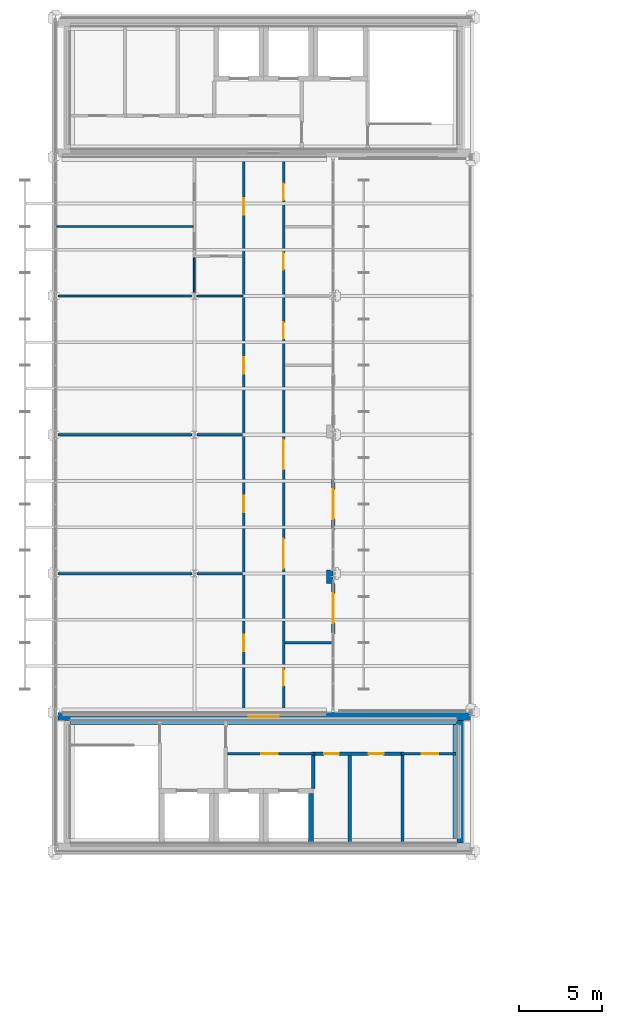
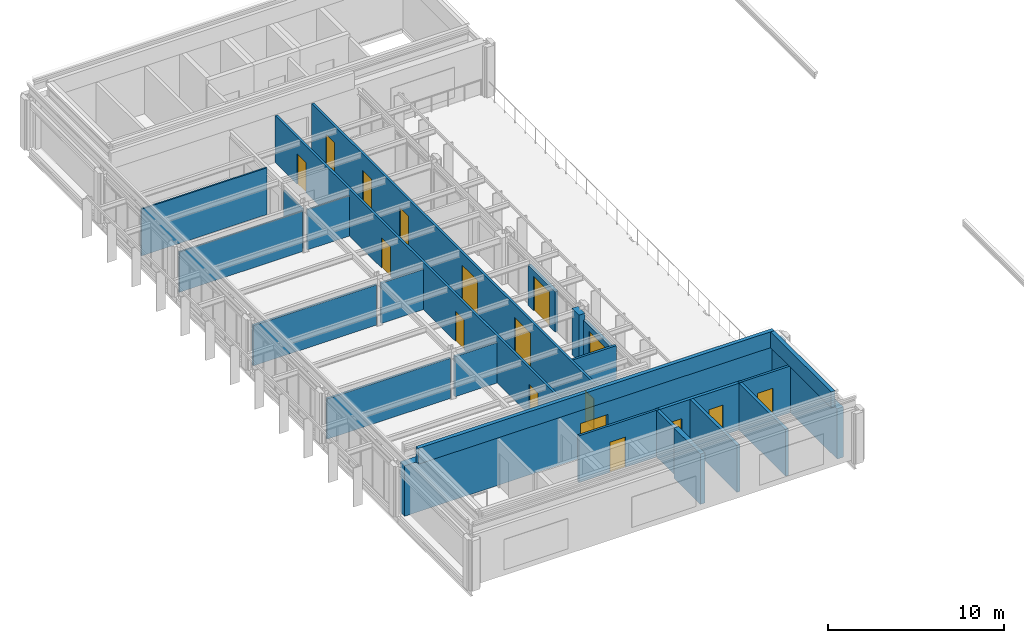
# One storey, part 27 of 31: 25 walls, 17 doors, 17 openings.
"""IFC4 building model written with IfcOpenShell, lengths in metres."""

from ifc_helpers import new_model, si_unit, direction, frame, frame_2d, origin, place, context, subcontext, project, spatial, rectangle, extrude, material, layer, layer_set, type_object, element, fill, save


model = new_model("IFC4")

# Units and contexts
model_context = context("Model", 3, precision=1e-05, world=origin(), true_north=direction((0.0, 1.0)))
body_context = subcontext(model_context, "Body", "Model", "MODEL_VIEW")
ifc_project = project(units=[si_unit("LENGTHUNIT", "METRE"), si_unit("AREAUNIT", "SQUARE_METRE"), si_unit("VOLUMEUNIT", "CUBIC_METRE"), si_unit("PLANEANGLEUNIT", "RADIAN"), si_unit("MASSUNIT", "GRAM", prefix="KILO")], contexts=[model_context])

# Site, building, storey
site_placement = place(None, origin())
site = spatial("IfcSite", under=ifc_project, at=site_placement, CompositionType="ELEMENT")
building_placement = place(site_placement, origin())
building = spatial("IfcBuilding", under=site, at=building_placement, Name="Catenary Quay Ferry Terminal", CompositionType="ELEMENT")
storey_placement = place(building_placement, frame((0.0, 0.0, 20.60009765625)))
storey = spatial("IfcBuildingStorey", under=building, at=storey_placement, Name="L04", CompositionType="ELEMENT", Elevation=20.60009765625)

# Wall
ifc_material_1 = material(Name="Concrete C50/60", Category="concrete")
ifc_layer_1 = layer(ifc_material_1, 0.39990234375)
ifc_layer_set_1 = layer_set([ifc_layer_1], Name="Core wall 400")
wall_type_1 = type_object("IfcWallType", Name="Core wall 400", PredefinedType="SHEAR", material=ifc_layer_set_1)
wall_1_placement = place(storey_placement, frame((49.699951171875, 160.10009765625, 0.0), z_axis=(0.0, 0.0, 1.0), x_axis=(0.0, 1.0, 0.0)))
element("IfcWall", 1, at=wall_1_placement, inside=storey, type_object=wall_type_1, Name="Core wall S4", PredefinedType="SHEAR", context=body_context, shape_type="SweptSolid", body=[
    extrude(rectangle(XDim=7.39990234375, YDim=0.39990234375, at=frame_2d((3.699951171875, 0.0))), origin(), (0.0, 0.0, 1.0), 3.5),
])

# Wall, opening, door
ifc_material_2 = material(Name="Concrete C50/60", Category="concrete")
ifc_layer_2 = layer(ifc_material_2, 0.5)
ifc_layer_set_2 = layer_set([ifc_layer_2], Name="Core wall 500")
wall_type_2 = type_object("IfcWallType", Name="Core wall 500", PredefinedType="SHEAR", material=ifc_layer_set_2)
wall_2_placement = place(storey_placement, frame((25.35009765625, 167.75, 0.0), z_axis=(0.0, 0.0, 1.0), x_axis=(1.0, 0.0, 0.0)))
wall_2 = element("IfcWall", 2, at=wall_2_placement, inside=storey, type_object=wall_type_2, Name="Core wall S2", PredefinedType="SHEAR", context=body_context, shape_type="SweptSolid", body=[
    extrude(rectangle(XDim=25.04296875, YDim=0.5, at=frame_2d((12.521484375, 0.0))), origin(), (0.0, 0.0, 1.0), 3.5),
])
opening_1_placement = place(wall_2_placement, frame((11.550048828125, 0.0, 0.0)))
opening_1 = element("IfcOpeningElement", 3, at=opening_1_placement, cuts=wall_2, Name="Opening D229", PredefinedType="OPENING", context=body_context, shape_type="SweptSolid", body=[
    extrude(rectangle(XDim=1.800048828125, YDim=2.39990234375, at=frame_2d((0.89990234375, 1.199951171875))), frame((0.0, 0.260009765625, 0.0), z_axis=(0.0, -1.0, 0.0), x_axis=(1.0, 0.0, 0.0)), (0.0, 0.0, 1.0), 0.52001953125),
])
ifc_material_3 = material(Name="Steel and glass", Category="steel")
door_type_1 = type_object("IfcDoorType", Name="DI3", OperationType="DOUBLE_DOOR_SINGLE_SWING", PredefinedType="DOOR", material=ifc_material_3)
door_1_placement = place(opening_1_placement, frame((1.800048828125, 0.0, 0.0), z_axis=(0.0, 0.0, 1.0), x_axis=(-1.0, 0.0, 0.0)))
door_1 = element("IfcDoor", 4, at=door_1_placement, inside=storey, type_object=door_type_1, Name="Operations Corridor to Core Corridor S", OperationType="DOUBLE_DOOR_SINGLE_SWING", OverallHeight=2.39990234375, OverallWidth=1.800048828125, PredefinedType="DOOR", context=body_context, shape_type="SweptSolid", body=[
    extrude(rectangle(XDim=1.800048828125, YDim=2.39990234375, at=frame_2d((0.89990234375, 1.199951171875))), frame((0.0, 0.02490234375, 0.0), z_axis=(0.0, -1.0, 0.0), x_axis=(1.0, 0.0, 0.0)), (0.0, 0.0, 1.0), 0.050048828125),
])
fill(opening_1, door_1)

# Walls
ifc_material_4 = material(Name="Masonry and insulation", Category="masonry")
ifc_layer_3 = layer(ifc_material_4, 0.39990234375)
ifc_layer_set_3 = layer_set([ifc_layer_3], Name="EW2")
wall_type_3 = type_object("IfcWallType", Name="EW2", PredefinedType="SOLIDWALL", material=ifc_layer_set_3)
wall_3_placement = place(storey_placement, frame((41.800048828125, 175.800048828125, 0.0), z_axis=(0.0, 0.0, 1.0), x_axis=(0.0, 1.0, 0.0)))
element("IfcWall", 5, at=wall_3_placement, inside=storey, type_object=wall_type_3, Name="P47 wall WL202", PredefinedType="SOLIDWALL", context=body_context, shape_type="SweptSolid", body=[
    extrude(rectangle(XDim=0.800048828125, YDim=0.39990234375, at=frame_2d((0.39990234375, 0.0))), origin(), (0.0, 0.0, 1.0), 3.25),
])
ifc_material_5 = material(Name="Masonry and insulation", Category="masonry")
ifc_layer_4 = layer(ifc_material_5, 0.25)
ifc_layer_set_4 = layer_set([ifc_layer_4], Name="EW5")
wall_type_4 = type_object("IfcWallType", Name="EW5", PredefinedType="PARAPET", material=ifc_layer_set_4)
wall_4_placement = place(storey_placement, frame((26.10009765625, 167.375, 3.5), z_axis=(0.0, 0.0, 1.0), x_axis=(1.0, 0.0, 0.0)))
element("IfcWall", 6, at=wall_4_placement, inside=storey, type_object=wall_type_4, Name="Parapet wall WL224", PredefinedType="PARAPET", context=body_context, shape_type="SweptSolid", body=[
    extrude(rectangle(XDim=23.39990234375, YDim=0.25, at=frame_2d((11.699951171875, 0.0))), origin(), (0.0, 0.0, 1.0), 1.099853515625),
])
wall_5_placement = place(storey_placement, frame((49.375, 160.35009765625, 3.5), z_axis=(0.0, 0.0, 1.0), x_axis=(0.0, 1.0, 0.0)))
element("IfcWall", 7, at=wall_5_placement, inside=storey, type_object=wall_type_4, Name="Parapet wall WL231", PredefinedType="PARAPET", context=body_context, shape_type="SweptSolid", body=[
    extrude(rectangle(XDim=6.89990234375, YDim=0.25, at=frame_2d((3.449951171875, 0.0))), origin(), (0.0, 0.0, 1.0), 1.099853515625),
])

# Wall, opening, door
ifc_material_6 = material(Name="Masonry and insulation", Category="masonry")
ifc_layer_5 = layer(ifc_material_6, 0.199951171875)
ifc_layer_set_5 = layer_set([ifc_layer_5], Name="EW6")
wall_type_5 = type_object("IfcWallType", Name="EW6", PredefinedType="SOLIDWALL", material=ifc_layer_set_5)
wall_6_placement = place(storey_placement, frame((42.0, 172.7451171875, 0.0), z_axis=(0.0, 0.0, 1.0), x_axis=(0.0, 1.0, 0.0)))
wall_6 = element("IfcWall", 8, at=wall_6_placement, inside=storey, type_object=wall_type_5, Name="Front wing wall WL69", PredefinedType="SOLIDWALL", context=body_context, shape_type="SweptSolid", body=[
    extrude(rectangle(XDim=3.054931640625, YDim=0.199951171875, at=frame_2d((1.52734375, 0.0))), origin(), (0.0, 0.0, 1.0), 2.796142578125),
])
opening_2_placement = place(wall_6_placement, frame((0.655029296875, 0.0, 0.0)))
opening_2 = element("IfcOpeningElement", 9, at=opening_2_placement, cuts=wall_6, Name="Opening D27", PredefinedType="OPENING", context=body_context, shape_type="SweptSolid", body=[
    extrude(rectangle(XDim=1.800048828125, YDim=2.39990234375, at=frame_2d((0.89990234375, 1.199951171875))), frame((0.0, 0.10986328125, 0.0), z_axis=(0.0, -1.0, 0.0), x_axis=(1.0, 0.0, 0.0)), (0.0, 0.0, 1.0), 0.219970703125),
])
ifc_material_7 = material(Name="Aluminium and glass", Category="aluminium")
door_type_2 = type_object("IfcDoorType", Name="DXR1800", OperationType="DOUBLE_DOOR_SINGLE_SWING", PredefinedType="DOOR", material=ifc_material_7)
door_2_placement = place(opening_2_placement, frame((1.800048828125, 0.0, 0.0), z_axis=(0.0, 0.0, 1.0), x_axis=(-1.0, 0.0, 0.0)))
door_2 = element("IfcDoor", 10, at=door_2_placement, inside=storey, type_object=door_type_2, Name="Front wing door D27", OperationType="DOUBLE_DOOR_SINGLE_SWING", OverallHeight=2.39990234375, OverallWidth=1.800048828125, PredefinedType="DOOR", context=body_context, shape_type="SweptSolid", body=[
    extrude(rectangle(XDim=1.800048828125, YDim=2.39990234375, at=frame_2d((0.89990234375, 1.199951171875))), frame((0.0, 0.02490234375, 0.0), z_axis=(0.0, -1.0, 0.0), x_axis=(1.0, 0.0, 0.0)), (0.0, 0.0, 1.0), 0.050048828125),
])
fill(opening_2, door_2)

wall_7_placement = place(storey_placement, frame((42.0, 179.044921875, 0.0), z_axis=(0.0, 0.0, 1.0), x_axis=(0.0, 1.0, 0.0)))
wall_7 = element("IfcWall", 11, at=wall_7_placement, inside=storey, type_object=wall_type_5, Name="Front wing wall WL70", PredefinedType="SOLIDWALL", context=body_context, shape_type="SweptSolid", body=[
    extrude(rectangle(XDim=3.110107421875, YDim=0.199951171875, at=frame_2d((1.55517578125, 0.0))), origin(), (0.0, 0.0, 1.0), 2.796142578125),
])
opening_3_placement = place(wall_7_placement, frame((0.655029296875, 0.0, 0.0)))
opening_3 = element("IfcOpeningElement", 12, at=opening_3_placement, cuts=wall_7, Name="Opening D28", PredefinedType="OPENING", context=body_context, shape_type="SweptSolid", body=[
    extrude(rectangle(XDim=1.800048828125, YDim=2.39990234375, at=frame_2d((0.89990234375, 1.199951171875))), frame((0.0, 0.10986328125, 0.0), z_axis=(0.0, -1.0, 0.0), x_axis=(1.0, 0.0, 0.0)), (0.0, 0.0, 1.0), 0.219970703125),
])
door_3_placement = place(opening_3_placement, frame((1.800048828125, 0.0, 0.0), z_axis=(0.0, 0.0, 1.0), x_axis=(-1.0, 0.0, 0.0)))
door_3 = element("IfcDoor", 13, at=door_3_placement, inside=storey, type_object=door_type_2, Name="Front wing door D28", OperationType="DOUBLE_DOOR_SINGLE_SWING", OverallHeight=2.39990234375, OverallWidth=1.800048828125, PredefinedType="DOOR", context=body_context, shape_type="SweptSolid", body=[
    extrude(rectangle(XDim=1.800048828125, YDim=2.39990234375, at=frame_2d((0.89990234375, 1.199951171875))), frame((0.0, 0.02490234375, 0.0), z_axis=(0.0, -1.0, 0.0), x_axis=(1.0, 0.0, 0.0)), (0.0, 0.0, 1.0), 0.050048828125),
])
fill(opening_3, door_3)

ifc_material_8 = material(Name="Plasterboard on steel studs", Category="steel")
ifc_layer_6 = layer(ifc_material_8, 0.14990234375)
ifc_layer_set_6 = layer_set([ifc_layer_6], Name="IP3")
wall_type_6 = type_object("IfcWallType", Name="IP3", PredefinedType="PARTITIONING", material=ifc_layer_set_6)
wall_8_placement = place(storey_placement, frame((35.60009765625, 165.5, 0.0), z_axis=(0.0, 0.0, 1.0), x_axis=(1.0, 0.0, 0.0)))
wall_8 = element("IfcWall", 14, at=wall_8_placement, inside=storey, type_object=wall_type_6, Name="Partition L04 1", PredefinedType="PARTITIONING", context=body_context, shape_type="SweptSolid", body=[
    extrude(rectangle(XDim=5.2998046875, YDim=0.14990234375, at=frame_2d((2.64990234375, 0.0))), origin(), (0.0, 0.0, 1.0), 3.25),
])
opening_4_placement = place(wall_8_placement, frame((2.050048828125, 0.0, 0.0)))
opening_4 = element("IfcOpeningElement", 15, at=opening_4_placement, cuts=wall_8, Name="Opening D217", PredefinedType="OPENING", context=body_context, shape_type="SweptSolid", body=[
    extrude(rectangle(XDim=1.0, YDim=2.10009765625, at=frame_2d((0.5, 1.050048828125))), frame((0.0, 0.0849609375, 0.0), z_axis=(0.0, -1.0, 0.0), x_axis=(1.0, 0.0, 0.0)), (0.0, 0.0, 1.0), 0.169921875),
])
ifc_material_9 = material(Name="Steel", Category="steel")
door_type_3 = type_object("IfcDoorType", Name="DI12", OperationType="SINGLE_SWING_LEFT", PredefinedType="DOOR", material=ifc_material_9)
door_4_placement = place(opening_4_placement, origin())
door_4 = element("IfcDoor", 16, at=door_4_placement, inside=storey, type_object=door_type_3, Name="Passenger Lift Lobby S to Core Corridor S", OperationType="SINGLE_SWING_LEFT", OverallHeight=2.10009765625, OverallWidth=1.0, PredefinedType="DOOR", context=body_context, shape_type="SweptSolid", body=[
    extrude(rectangle(XDim=1.0, YDim=2.10009765625, at=frame_2d((0.5, 1.050048828125))), frame((0.0, 0.02490234375, 0.0), z_axis=(0.0, -1.0, 0.0), x_axis=(1.0, 0.0, 0.0)), (0.0, 0.0, 1.0), 0.050048828125),
])
fill(opening_4, door_4)

wall_9_placement = place(storey_placement, frame((46.10009765625, 165.5, 0.0), z_axis=(0.0, 0.0, 1.0), x_axis=(1.0, 0.0, 0.0)))
wall_9 = element("IfcWall", 17, at=wall_9_placement, inside=storey, type_object=wall_type_6, Name="Partition L04 3", PredefinedType="PARTITIONING", context=body_context, shape_type="SweptSolid", body=[
    extrude(rectangle(XDim=3.39990234375, YDim=0.14990234375, at=frame_2d((1.699951171875, 0.0))), origin(), (0.0, 0.0, 1.0), 3.25),
])
opening_5_placement = place(wall_9_placement, frame((1.25, 0.0, 0.0)))
opening_5 = element("IfcOpeningElement", 18, at=opening_5_placement, cuts=wall_9, Name="Opening D225", PredefinedType="OPENING", context=body_context, shape_type="SweptSolid", body=[
    extrude(rectangle(XDim=1.0, YDim=2.10009765625, at=frame_2d((0.5, 1.050048828125))), frame((0.0, 0.0849609375, 0.0), z_axis=(0.0, -1.0, 0.0), x_axis=(1.0, 0.0, 0.0)), (0.0, 0.0, 1.0), 0.169921875),
])
ifc_material_10 = material(Name="Timber", Category="wood")
door_type_4 = type_object("IfcDoorType", Name="DI8", OperationType="SINGLE_SWING_LEFT", PredefinedType="DOOR", material=ifc_material_10)
door_5_placement = place(opening_5_placement, frame((1.0, 0.0, 0.0), z_axis=(0.0, 0.0, 1.0), x_axis=(-1.0, 0.0, 0.0)))
door_5 = element("IfcDoor", 19, at=door_5_placement, inside=storey, type_object=door_type_4, Name="Accessible WC S to Core Corridor S", OperationType="SINGLE_SWING_RIGHT", OverallHeight=2.10009765625, OverallWidth=1.0, PredefinedType="DOOR", context=body_context, shape_type="SweptSolid", body=[
    extrude(rectangle(XDim=1.0, YDim=2.10009765625, at=frame_2d((0.5, 1.050048828125))), frame((0.0, 0.02490234375, 0.0), z_axis=(0.0, -1.0, 0.0), x_axis=(1.0, 0.0, 0.0)), (0.0, 0.0, 1.0), 0.050048828125),
])
fill(opening_5, door_5)

# Wall, openings, doors
wall_10_placement = place(storey_placement, frame((36.60009765625, 168.0, 0.0), z_axis=(0.0, 0.0, 1.0), x_axis=(0.0, 1.0, 0.0)))
wall_10 = element("IfcWall", 20, at=wall_10_placement, inside=storey, type_object=wall_type_6, Name="Partition L04 26", PredefinedType="PARTITIONING", context=body_context, shape_type="SweptSolid", body=[
    extrude(rectangle(XDim=33.60009765625, YDim=0.14990234375, at=frame_2d((16.800048828125, 0.0))), origin(), (0.0, 0.0, 1.0), 3.25),
])
opening_6_placement = place(wall_10_placement, frame((3.699951171875, 0.0, 0.0)))
opening_6 = element("IfcOpeningElement", 21, at=opening_6_placement, cuts=wall_10, Name="Opening D231", PredefinedType="OPENING", context=body_context, shape_type="SweptSolid", body=[
    extrude(rectangle(XDim=1.0, YDim=2.10009765625, at=frame_2d((0.5, 1.050048828125))), frame((0.0, 0.0849609375, 0.0), z_axis=(0.0, -1.0, 0.0), x_axis=(1.0, 0.0, 0.0)), (0.0, 0.0, 1.0), 0.169921875),
])
opening_7_placement = place(wall_10_placement, frame((12.10009765625, 0.0, 0.0)))
opening_7 = element("IfcOpeningElement", 22, at=opening_7_placement, cuts=wall_10, Name="Opening D232", PredefinedType="OPENING", context=body_context, shape_type="SweptSolid", body=[
    extrude(rectangle(XDim=1.0, YDim=2.10009765625, at=frame_2d((0.5, 1.050048828125))), frame((0.0, 0.0849609375, 0.0), z_axis=(0.0, -1.0, 0.0), x_axis=(1.0, 0.0, 0.0)), (0.0, 0.0, 1.0), 0.169921875),
])
opening_8_placement = place(wall_10_placement, frame((20.5, 0.0, 0.0)))
opening_8 = element("IfcOpeningElement", 23, at=opening_8_placement, cuts=wall_10, Name="Opening D233", PredefinedType="OPENING", context=body_context, shape_type="SweptSolid", body=[
    extrude(rectangle(XDim=1.0, YDim=2.10009765625, at=frame_2d((0.5, 1.050048828125))), frame((0.0, 0.0849609375, 0.0), z_axis=(0.0, -1.0, 0.0), x_axis=(1.0, 0.0, 0.0)), (0.0, 0.0, 1.0), 0.169921875),
])
opening_9_placement = place(wall_10_placement, frame((30.10009765625, 0.0, 0.0)))
opening_9 = element("IfcOpeningElement", 24, at=opening_9_placement, cuts=wall_10, Name="Opening D237", PredefinedType="OPENING", context=body_context, shape_type="SweptSolid", body=[
    extrude(rectangle(XDim=1.0, YDim=2.10009765625, at=frame_2d((0.5, 1.050048828125))), frame((0.0, 0.0849609375, 0.0), z_axis=(0.0, -1.0, 0.0), x_axis=(1.0, 0.0, 0.0)), (0.0, 0.0, 1.0), 0.169921875),
])
door_6_placement = place(opening_9_placement, frame((1.0, 0.0, 0.0), z_axis=(0.0, 0.0, 1.0), x_axis=(-1.0, 0.0, 0.0)))
door_6 = element("IfcDoor", 25, at=door_6_placement, inside=storey, type_object=door_type_3, Name="Staff WC Lobby L04 to Operations Corridor", OperationType="SINGLE_SWING_RIGHT", OverallHeight=2.10009765625, OverallWidth=1.0, PredefinedType="DOOR", context=body_context, shape_type="SweptSolid", body=[
    extrude(rectangle(XDim=1.0, YDim=2.10009765625, at=frame_2d((0.5, 1.050048828125))), frame((0.0, 0.02490234375, 0.0), z_axis=(0.0, -1.0, 0.0), x_axis=(1.0, 0.0, 0.0)), (0.0, 0.0, 1.0), 0.050048828125),
])
fill(opening_9, door_6)
ifc_material_11 = material(Name="Timber", Category="wood")
door_type_5 = type_object("IfcDoorType", Name="DI7", OperationType="SINGLE_SWING_LEFT", PredefinedType="DOOR", material=ifc_material_11)
door_7_placement = place(opening_6_placement, origin())
door_7 = element("IfcDoor", 26, at=door_7_placement, inside=storey, type_object=door_type_5, Name="Chief Executive Office to Operations Corridor", OperationType="SINGLE_SWING_LEFT", OverallHeight=2.10009765625, OverallWidth=1.0, PredefinedType="DOOR", context=body_context, shape_type="SweptSolid", body=[
    extrude(rectangle(XDim=1.0, YDim=2.10009765625, at=frame_2d((0.5, 1.050048828125))), frame((0.0, 0.02490234375, 0.0), z_axis=(0.0, -1.0, 0.0), x_axis=(1.0, 0.0, 0.0)), (0.0, 0.0, 1.0), 0.050048828125),
])
fill(opening_6, door_7)
door_8_placement = place(opening_7_placement, origin())
door_8 = element("IfcDoor", 27, at=door_8_placement, inside=storey, type_object=door_type_5, Name="Press and Media Room to Operations Corridor", OperationType="SINGLE_SWING_LEFT", OverallHeight=2.10009765625, OverallWidth=1.0, PredefinedType="DOOR", context=body_context, shape_type="SweptSolid", body=[
    extrude(rectangle(XDim=1.0, YDim=2.10009765625, at=frame_2d((0.5, 1.050048828125))), frame((0.0, 0.02490234375, 0.0), z_axis=(0.0, -1.0, 0.0), x_axis=(1.0, 0.0, 0.0)), (0.0, 0.0, 1.0), 0.050048828125),
])
fill(opening_7, door_8)
door_9_placement = place(opening_8_placement, origin())
door_9 = element("IfcDoor", 28, at=door_9_placement, inside=storey, type_object=door_type_5, Name="Executive Board Room to Operations Corridor", OperationType="SINGLE_SWING_LEFT", OverallHeight=2.10009765625, OverallWidth=1.0, PredefinedType="DOOR", context=body_context, shape_type="SweptSolid", body=[
    extrude(rectangle(XDim=1.0, YDim=2.10009765625, at=frame_2d((0.5, 1.050048828125))), frame((0.0, 0.02490234375, 0.0), z_axis=(0.0, -1.0, 0.0), x_axis=(1.0, 0.0, 0.0)), (0.0, 0.0, 1.0), 0.050048828125),
])
fill(opening_8, door_9)

wall_11_placement = place(storey_placement, frame((39.0, 168.0, 0.0), z_axis=(0.0, 0.0, 1.0), x_axis=(0.0, 1.0, 0.0)))
wall_11 = element("IfcWall", 29, at=wall_11_placement, inside=storey, type_object=wall_type_6, Name="Partition L04 27", PredefinedType="PARTITIONING", context=body_context, shape_type="SweptSolid", body=[
    extrude(rectangle(XDim=33.60009765625, YDim=0.14990234375, at=frame_2d((16.800048828125, 0.0))), origin(), (0.0, 0.0, 1.0), 3.25),
])
opening_10_placement = place(wall_11_placement, frame((1.60009765625, 0.0, 0.0)))
opening_10 = element("IfcOpeningElement", 30, at=opening_10_placement, cuts=wall_11, Name="Opening D238", PredefinedType="OPENING", context=body_context, shape_type="SweptSolid", body=[
    extrude(rectangle(XDim=1.0, YDim=2.10009765625, at=frame_2d((0.5, 1.050048828125))), frame((0.0, 0.0849609375, 0.0), z_axis=(0.0, -1.0, 0.0), x_axis=(1.0, 0.0, 0.0)), (0.0, 0.0, 1.0), 0.169921875),
])
opening_11_placement = place(wall_11_placement, frame((22.60009765625, 0.0, 0.0)))
opening_11 = element("IfcOpeningElement", 31, at=opening_11_placement, cuts=wall_11, Name="Opening D239", PredefinedType="OPENING", context=body_context, shape_type="SweptSolid", body=[
    extrude(rectangle(XDim=1.0, YDim=2.10009765625, at=frame_2d((0.5, 1.050048828125))), frame((0.0, 0.0849609375, 0.0), z_axis=(0.0, -1.0, 0.0), x_axis=(1.0, 0.0, 0.0)), (0.0, 0.0, 1.0), 0.169921875),
])
opening_12_placement = place(wall_11_placement, frame((26.800048828125, 0.0, 0.0)))
opening_12 = element("IfcOpeningElement", 32, at=opening_12_placement, cuts=wall_11, Name="Opening D240", PredefinedType="OPENING", context=body_context, shape_type="SweptSolid", body=[
    extrude(rectangle(XDim=1.0, YDim=2.10009765625, at=frame_2d((0.5, 1.050048828125))), frame((0.0, 0.0849609375, 0.0), z_axis=(0.0, -1.0, 0.0), x_axis=(1.0, 0.0, 0.0)), (0.0, 0.0, 1.0), 0.169921875),
])
opening_13_placement = place(wall_11_placement, frame((31.0, 0.0, 0.0)))
opening_13 = element("IfcOpeningElement", 33, at=opening_13_placement, cuts=wall_11, Name="Opening D241", PredefinedType="OPENING", context=body_context, shape_type="SweptSolid", body=[
    extrude(rectangle(XDim=1.0, YDim=2.10009765625, at=frame_2d((0.5, 1.050048828125))), frame((0.0, 0.0849609375, 0.0), z_axis=(0.0, -1.0, 0.0), x_axis=(1.0, 0.0, 0.0)), (0.0, 0.0, 1.0), 0.169921875),
])
opening_14_placement = place(wall_11_placement, frame((8.699951171875, 0.0, 0.0)))
opening_14 = element("IfcOpeningElement", 34, at=opening_14_placement, cuts=wall_11, Name="Opening D242", PredefinedType="OPENING", context=body_context, shape_type="SweptSolid", body=[
    extrude(rectangle(XDim=1.800048828125, YDim=2.39990234375, at=frame_2d((0.89990234375, 1.199951171875))), frame((0.0, 0.0849609375, 0.0), z_axis=(0.0, -1.0, 0.0), x_axis=(1.0, 0.0, 0.0)), (0.0, 0.0, 1.0), 0.169921875),
])
opening_15_placement = place(wall_11_placement, frame((14.699951171875, 0.0, 0.0)))
opening_15 = element("IfcOpeningElement", 35, at=opening_15_placement, cuts=wall_11, Name="Opening D243", PredefinedType="OPENING", context=body_context, shape_type="SweptSolid", body=[
    extrude(rectangle(XDim=1.800048828125, YDim=2.39990234375, at=frame_2d((0.89990234375, 1.199951171875))), frame((0.0, 0.0849609375, 0.0), z_axis=(0.0, -1.0, 0.0), x_axis=(1.0, 0.0, 0.0)), (0.0, 0.0, 1.0), 0.169921875),
])
ifc_material_12 = material(Name="Aluminium and glass", Category="aluminium")
door_type_6 = type_object("IfcDoorType", Name="DI6", OperationType="DOUBLE_DOOR_SINGLE_SWING", PredefinedType="DOOR", material=ifc_material_12)
door_10_placement = place(opening_14_placement, frame((1.800048828125, 0.0, 0.0), z_axis=(0.0, 0.0, 1.0), x_axis=(-1.0, 0.0, 0.0)))
door_10 = element("IfcDoor", 36, at=door_10_placement, inside=storey, type_object=door_type_6, Name="Staff Attic Lounge to Operations Corridor", OperationType="DOUBLE_DOOR_SINGLE_SWING", OverallHeight=2.39990234375, OverallWidth=1.800048828125, PredefinedType="DOOR", context=body_context, shape_type="SweptSolid", body=[
    extrude(rectangle(XDim=1.800048828125, YDim=2.39990234375, at=frame_2d((0.89990234375, 1.199951171875))), frame((0.0, 0.02490234375, 0.0), z_axis=(0.0, -1.0, 0.0), x_axis=(1.0, 0.0, 0.0)), (0.0, 0.0, 1.0), 0.050048828125),
])
fill(opening_14, door_10)
door_11_placement = place(opening_15_placement, frame((1.800048828125, 0.0, 0.0), z_axis=(0.0, 0.0, 1.0), x_axis=(-1.0, 0.0, 0.0)))
door_11 = element("IfcDoor", 37, at=door_11_placement, inside=storey, type_object=door_type_6, Name="Staff Attic Lounge to Operations Corridor", OperationType="DOUBLE_DOOR_SINGLE_SWING", OverallHeight=2.39990234375, OverallWidth=1.800048828125, PredefinedType="DOOR", context=body_context, shape_type="SweptSolid", body=[
    extrude(rectangle(XDim=1.800048828125, YDim=2.39990234375, at=frame_2d((0.89990234375, 1.199951171875))), frame((0.0, 0.02490234375, 0.0), z_axis=(0.0, -1.0, 0.0), x_axis=(1.0, 0.0, 0.0)), (0.0, 0.0, 1.0), 0.050048828125),
])
fill(opening_15, door_11)
door_12_placement = place(opening_10_placement, frame((1.0, 0.0, 0.0), z_axis=(0.0, 0.0, 1.0), x_axis=(-1.0, 0.0, 0.0)))
door_12 = element("IfcDoor", 38, at=door_12_placement, inside=storey, type_object=door_type_5, Name="Staff Rest Room to Operations Corridor", OperationType="SINGLE_SWING_RIGHT", OverallHeight=2.10009765625, OverallWidth=1.0, PredefinedType="DOOR", context=body_context, shape_type="SweptSolid", body=[
    extrude(rectangle(XDim=1.0, YDim=2.10009765625, at=frame_2d((0.5, 1.050048828125))), frame((0.0, 0.02490234375, 0.0), z_axis=(0.0, -1.0, 0.0), x_axis=(1.0, 0.0, 0.0)), (0.0, 0.0, 1.0), 0.050048828125),
])
fill(opening_10, door_12)
door_13_placement = place(opening_11_placement, frame((1.0, 0.0, 0.0), z_axis=(0.0, 0.0, 1.0), x_axis=(-1.0, 0.0, 0.0)))
door_13 = element("IfcDoor", 39, at=door_13_placement, inside=storey, type_object=door_type_5, Name="Operations Briefing Room to Operations Corridor", OperationType="SINGLE_SWING_RIGHT", OverallHeight=2.10009765625, OverallWidth=1.0, PredefinedType="DOOR", context=body_context, shape_type="SweptSolid", body=[
    extrude(rectangle(XDim=1.0, YDim=2.10009765625, at=frame_2d((0.5, 1.050048828125))), frame((0.0, 0.02490234375, 0.0), z_axis=(0.0, -1.0, 0.0), x_axis=(1.0, 0.0, 0.0)), (0.0, 0.0, 1.0), 0.050048828125),
])
fill(opening_11, door_13)
door_14_placement = place(opening_12_placement, frame((1.0, 0.0, 0.0), z_axis=(0.0, 0.0, 1.0), x_axis=(-1.0, 0.0, 0.0)))
door_14 = element("IfcDoor", 40, at=door_14_placement, inside=storey, type_object=door_type_5, Name="Health and Safety Office to Operations Corridor", OperationType="SINGLE_SWING_RIGHT", OverallHeight=2.10009765625, OverallWidth=1.0, PredefinedType="DOOR", context=body_context, shape_type="SweptSolid", body=[
    extrude(rectangle(XDim=1.0, YDim=2.10009765625, at=frame_2d((0.5, 1.050048828125))), frame((0.0, 0.02490234375, 0.0), z_axis=(0.0, -1.0, 0.0), x_axis=(1.0, 0.0, 0.0)), (0.0, 0.0, 1.0), 0.050048828125),
])
fill(opening_12, door_14)
door_15_placement = place(opening_13_placement, frame((1.0, 0.0, 0.0), z_axis=(0.0, 0.0, 1.0), x_axis=(-1.0, 0.0, 0.0)))
door_15 = element("IfcDoor", 41, at=door_15_placement, inside=storey, type_object=door_type_5, Name="First Aid Room to Operations Corridor", OperationType="SINGLE_SWING_RIGHT", OverallHeight=2.10009765625, OverallWidth=1.0, PredefinedType="DOOR", context=body_context, shape_type="SweptSolid", body=[
    extrude(rectangle(XDim=1.0, YDim=2.10009765625, at=frame_2d((0.5, 1.050048828125))), frame((0.0, 0.02490234375, 0.0), z_axis=(0.0, -1.0, 0.0), x_axis=(1.0, 0.0, 0.0)), (0.0, 0.0, 1.0), 0.050048828125),
])
fill(opening_13, door_15)

ifc_material_13 = material(Name="Blockwork and plaster", Category="masonry")
ifc_layer_7 = layer(ifc_material_13, 0.199951171875)
ifc_layer_set_7 = layer_set([ifc_layer_7], Name="IP6")
wall_type_7 = type_object("IfcWallType", Name="IP6", PredefinedType="PARTITIONING", material=ifc_layer_set_7)
wall_12_placement = place(storey_placement, frame((40.699951171875, 165.5, 0.0), z_axis=(0.0, 0.0, 1.0), x_axis=(1.0, 0.0, 0.0)))
wall_12 = element("IfcWall", 42, at=wall_12_placement, inside=storey, type_object=wall_type_7, Name="Partition L04 2", PredefinedType="PARTITIONING", context=body_context, shape_type="SweptSolid", body=[
    extrude(rectangle(XDim=5.60009765625, YDim=0.199951171875, at=frame_2d((2.800048828125, 0.0))), origin(), (0.0, 0.0, 1.0), 3.25),
])
opening_16_placement = place(wall_12_placement, frame((0.75, 0.0, 0.0)))
opening_16 = element("IfcOpeningElement", 43, at=opening_16_placement, cuts=wall_12, Name="Opening D221", PredefinedType="OPENING", context=body_context, shape_type="SweptSolid", body=[
    extrude(rectangle(XDim=0.89990234375, YDim=2.10009765625, at=frame_2d((0.449951171875, 1.050048828125))), frame((0.0, 0.10986328125, 0.0), z_axis=(0.0, -1.0, 0.0), x_axis=(1.0, 0.0, 0.0)), (0.0, 0.0, 1.0), 0.219970703125),
])
opening_17_placement = place(wall_12_placement, frame((3.449951171875, 0.0, 0.0)))
opening_17 = element("IfcOpeningElement", 44, at=opening_17_placement, cuts=wall_12, Name="Opening D223", PredefinedType="OPENING", context=body_context, shape_type="SweptSolid", body=[
    extrude(rectangle(XDim=0.89990234375, YDim=2.10009765625, at=frame_2d((0.449951171875, 1.050048828125))), frame((0.0, 0.10986328125, 0.0), z_axis=(0.0, -1.0, 0.0), x_axis=(1.0, 0.0, 0.0)), (0.0, 0.0, 1.0), 0.219970703125),
])
ifc_material_14 = material(Name="Steel", Category="steel")
door_type_7 = type_object("IfcDoorType", Name="DI9", OperationType="SINGLE_SWING_LEFT", PredefinedType="DOOR", material=ifc_material_14)
door_16_placement = place(opening_16_placement, frame((0.89990234375, 0.0, 0.0), z_axis=(0.0, 0.0, 1.0), x_axis=(-1.0, 0.0, 0.0)))
door_16 = element("IfcDoor", 45, at=door_16_placement, inside=storey, type_object=door_type_7, Name="Riser Shaft S to Core Corridor S", OperationType="SINGLE_SWING_RIGHT", OverallHeight=2.10009765625, OverallWidth=0.89990234375, PredefinedType="DOOR", context=body_context, shape_type="SweptSolid", body=[
    extrude(rectangle(XDim=0.89990234375, YDim=2.10009765625, at=frame_2d((0.449951171875, 1.050048828125))), frame((0.0, 0.02490234375, 0.0), z_axis=(0.0, -1.0, 0.0), x_axis=(1.0, 0.0, 0.0)), (0.0, 0.0, 1.0), 0.050048828125),
])
fill(opening_16, door_16)
door_17_placement = place(opening_17_placement, frame((0.89990234375, 0.0, 0.0), z_axis=(0.0, 0.0, 1.0), x_axis=(-1.0, 0.0, 0.0)))
door_17 = element("IfcDoor", 46, at=door_17_placement, inside=storey, type_object=door_type_7, Name="Cleaners Store S to Core Corridor S", OperationType="SINGLE_SWING_RIGHT", OverallHeight=2.10009765625, OverallWidth=0.89990234375, PredefinedType="DOOR", context=body_context, shape_type="SweptSolid", body=[
    extrude(rectangle(XDim=0.89990234375, YDim=2.10009765625, at=frame_2d((0.449951171875, 1.050048828125))), frame((0.0, 0.02490234375, 0.0), z_axis=(0.0, -1.0, 0.0), x_axis=(1.0, 0.0, 0.0)), (0.0, 0.0, 1.0), 0.050048828125),
])
fill(opening_17, door_17)

# Walls
wall_13_placement = place(storey_placement, frame((40.800048828125, 163.39990234375, 0.0), z_axis=(0.0, 0.0, 1.0), x_axis=(0.0, 1.0, 0.0)))
element("IfcWall", 47, at=wall_13_placement, inside=storey, type_object=wall_type_7, Name="Partition L04 29", PredefinedType="PARTITIONING", context=body_context, shape_type="SweptSolid", body=[
    extrude(rectangle(XDim=2.0, YDim=0.199951171875, at=frame_2d((1.0, 0.0))), origin(), (0.0, 0.0, 1.0), 3.25),
])
for number, where, z_axis, x_axis, name in (
    (48, (43.0, 160.10009765625, 0.0), (0.0, 0.0, 1.0), (0.0, 1.0, 0.0), "Partition L04 30"),
    (49, (46.199951171875, 160.10009765625, 0.0), (0.0, 0.0, 1.0), (0.0, 1.0, 0.0), "Partition L04 32"),
):
    element("IfcWall", number, at=place(storey_placement, frame(where, z_axis=z_axis, x_axis=x_axis)), inside=storey, type_object=wall_type_7, Name=name, PredefinedType="PARTITIONING", context=body_context, shape_type="SweptSolid", body=[
        extrude(rectangle(XDim=5.2998046875, YDim=0.199951171875, at=frame_2d((2.64990234375, 0.0))), origin(), (0.0, 0.0, 1.0), 3.25),
    ])
ifc_material_15 = material(Name="Plasterboard on steel studs", Category="steel")
ifc_layer_8 = layer(ifc_material_15, 0.14990234375)
ifc_layer_set_8 = layer_set([ifc_layer_8], Name="IP7")
wall_type_8 = type_object("IfcWallType", Name="IP7", PredefinedType="PARTITIONING", material=ifc_layer_set_8)
wall_14_placement = place(storey_placement, frame((39.074951171875, 172.199951171875, 0.0), z_axis=(0.0, 0.0, 1.0), x_axis=(1.0, 0.0, 0.0)))
element("IfcWall", 50, at=wall_14_placement, inside=storey, type_object=wall_type_8, Name="Partition L04 4", PredefinedType="PARTITIONING", context=body_context, shape_type="SweptSolid", body=[
    extrude(rectangle(XDim=2.85009765625, YDim=0.14990234375, at=frame_2d((1.425048828125, 0.0))), origin(), (0.0, 0.0, 1.0), 3.25),
])
wall_15_placement = place(storey_placement, frame((25.35009765625, 176.39990234375, 0.0), z_axis=(0.0, 0.0, 1.0), x_axis=(1.0, 0.0, 0.0)))
element("IfcWall", 51, at=wall_15_placement, inside=storey, type_object=wall_type_8, Name="Partition L04 5", PredefinedType="PARTITIONING", context=body_context, shape_type="SweptSolid", body=[
    extrude(rectangle(XDim=8.099853515625, YDim=0.14990234375, at=frame_2d((4.0498046875, 0.0))), origin(), (0.0, 0.0, 1.0), 2.796142578125),
])
wall_16_placement = place(storey_placement, frame((33.75, 176.39990234375, 0.0), z_axis=(0.0, 0.0, 1.0), x_axis=(1.0, 0.0, 0.0)))
element("IfcWall", 52, at=wall_16_placement, inside=storey, type_object=wall_type_8, Name="Partition L04 6", PredefinedType="PARTITIONING", context=body_context, shape_type="SweptSolid", body=[
    extrude(rectangle(XDim=2.77490234375, YDim=0.14990234375, at=frame_2d((1.387451171875, 0.0))), origin(), (0.0, 0.0, 1.0), 2.796142578125),
])
wall_17_placement = place(storey_placement, frame((25.35009765625, 184.800048828125, 0.0), z_axis=(0.0, 0.0, 1.0), x_axis=(1.0, 0.0, 0.0)))
element("IfcWall", 53, at=wall_17_placement, inside=storey, type_object=wall_type_8, Name="Partition L04 7", PredefinedType="PARTITIONING", context=body_context, shape_type="SweptSolid", body=[
    extrude(rectangle(XDim=8.099853515625, YDim=0.14990234375, at=frame_2d((4.0498046875, 0.0))), origin(), (0.0, 0.0, 1.0), 2.796142578125),
])
wall_18_placement = place(storey_placement, frame((33.75, 184.800048828125, 0.0), z_axis=(0.0, 0.0, 1.0), x_axis=(1.0, 0.0, 0.0)))
element("IfcWall", 54, at=wall_18_placement, inside=storey, type_object=wall_type_8, Name="Partition L04 8", PredefinedType="PARTITIONING", context=body_context, shape_type="SweptSolid", body=[
    extrude(rectangle(XDim=2.77490234375, YDim=0.14990234375, at=frame_2d((1.387451171875, 0.0))), origin(), (0.0, 0.0, 1.0), 2.796142578125),
])
ifc_material_16 = material(Name="Plasterboard on steel studs", Category="steel")
ifc_layer_9 = layer(ifc_material_16, 0.10009765625)
ifc_layer_set_9 = layer_set([ifc_layer_9], Name="IP8")
wall_type_9 = type_object("IfcWallType", Name="IP8", PredefinedType="PARTITIONING", material=ifc_layer_set_9)
wall_19_placement = place(storey_placement, frame((25.35009765625, 193.199951171875, 0.0), z_axis=(0.0, 0.0, 1.0), x_axis=(1.0, 0.0, 0.0)))
element("IfcWall", 55, at=wall_19_placement, inside=storey, type_object=wall_type_9, Name="Partition L04 10", PredefinedType="PARTITIONING", context=body_context, shape_type="SweptSolid", body=[
    extrude(rectangle(XDim=8.099853515625, YDim=0.10009765625, at=frame_2d((4.0498046875, 0.0))), origin(), (0.0, 0.0, 1.0), 2.796142578125),
])
wall_20_placement = place(storey_placement, frame((33.75, 193.199951171875, 0.0), z_axis=(0.0, 0.0, 1.0), x_axis=(1.0, 0.0, 0.0)))
element("IfcWall", 56, at=wall_20_placement, inside=storey, type_object=wall_type_9, Name="Partition L04 11", PredefinedType="PARTITIONING", context=body_context, shape_type="SweptSolid", body=[
    extrude(rectangle(XDim=2.77490234375, YDim=0.10009765625, at=frame_2d((1.387451171875, 0.0))), origin(), (0.0, 0.0, 1.0), 2.796142578125),
])
wall_21_placement = place(storey_placement, frame((25.27490234375, 197.39990234375, 0.0), z_axis=(0.0, 0.0, 1.0), x_axis=(1.0, 0.0, 0.0)))
element("IfcWall", 57, at=wall_21_placement, inside=storey, type_object=wall_type_9, Name="Partition L04 14", PredefinedType="PARTITIONING", context=body_context, shape_type="SweptSolid", body=[
    extrude(rectangle(XDim=8.25, YDim=0.10009765625, at=frame_2d((4.125, 0.0))), origin(), (0.0, 0.0, 1.0), 3.25),
])
wall_22_placement = place(storey_placement, frame((33.60009765625, 193.39990234375, 0.0), z_axis=(0.0, 0.0, 1.0), x_axis=(0.0, 1.0, 0.0)))
element("IfcWall", 58, at=wall_22_placement, inside=storey, type_object=wall_type_9, Name="Partition L04 22", PredefinedType="PARTITIONING", context=body_context, shape_type="SweptSolid", body=[
    extrude(rectangle(XDim=2.125, YDim=0.10009765625, at=frame_2d((1.0625, 0.0))), origin(), (0.0, 0.0, 1.0), 2.796142578125),
])
ifc_material_17 = material(Name="Concrete C50/60", Category="concrete")
ifc_layer_10 = layer(ifc_material_17, 0.300048828125)
ifc_layer_set_10 = layer_set([ifc_layer_10], Name="Shaft wall 300")
wall_type_10 = type_object("IfcWallType", Name="Shaft wall 300", PredefinedType="SHEAR", material=ifc_layer_set_10)
wall_23_placement = place(storey_placement, frame((40.64990234375, 160.10009765625, 0.0), z_axis=(0.0, 0.0, 1.0), x_axis=(0.0, 1.0, 0.0)))
element("IfcWall", 59, at=wall_23_placement, inside=storey, type_object=wall_type_10, Name="Shaft wall GL2 E", PredefinedType="SHEAR", context=body_context, shape_type="SweptSolid", body=[
    extrude(rectangle(XDim=3.0, YDim=0.300048828125, at=frame_2d((1.5, 0.0))), origin(), (0.0, 0.0, 1.0), 3.5),
])

save(model, "model.ifc")
